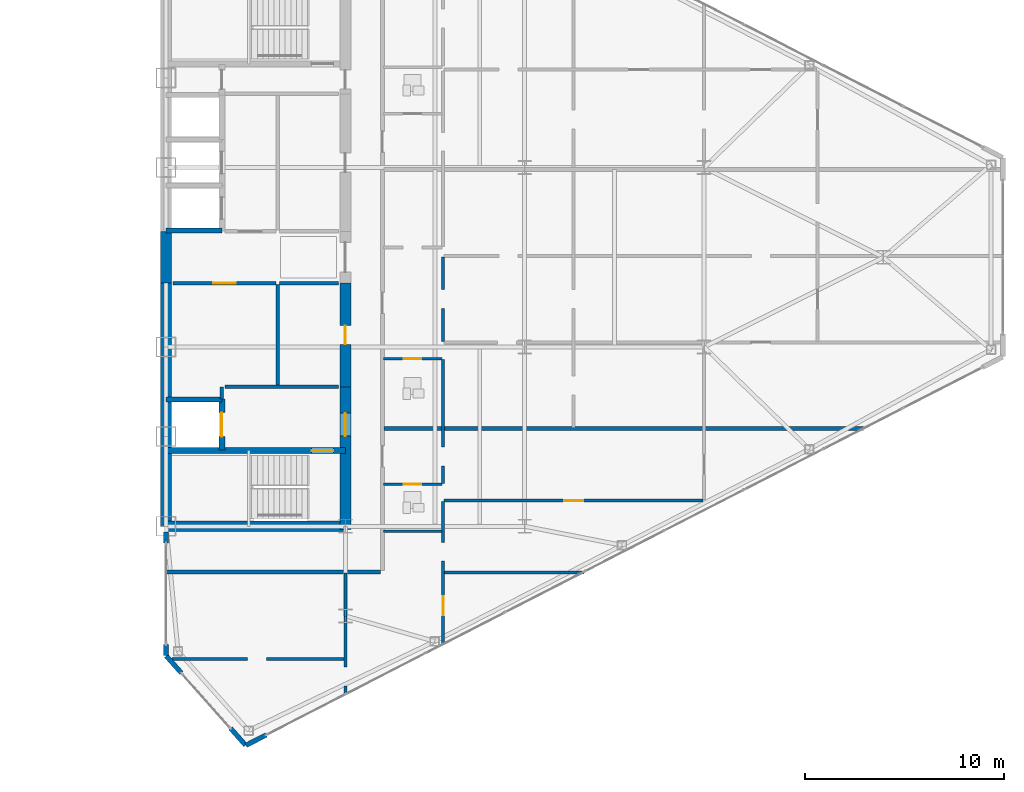
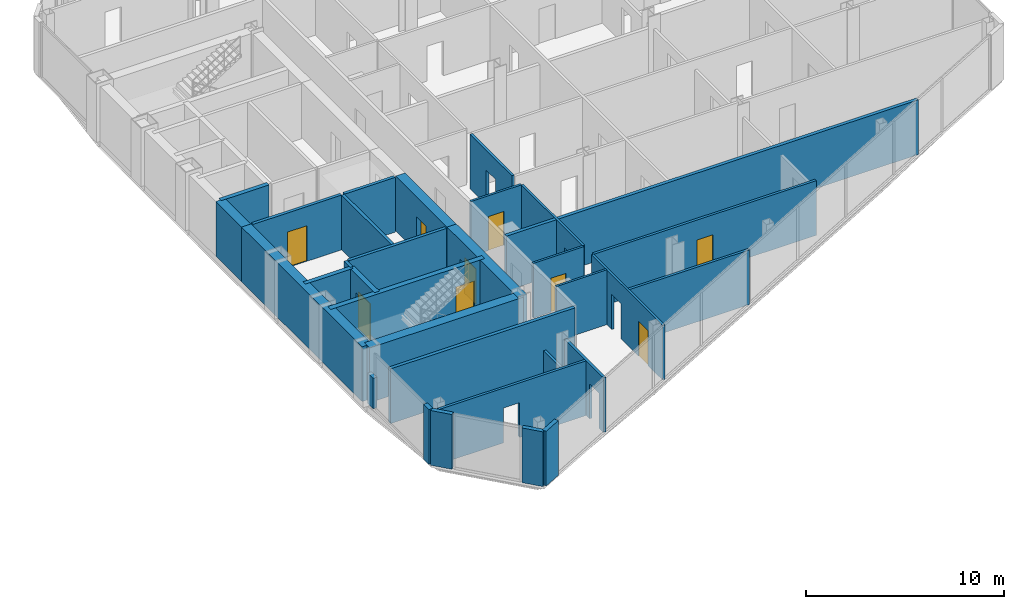
# One storey, part 18 of 23: 32 walls, 9 doors, 14 openings.
"""IFC4 building model written with IfcOpenShell, lengths in metres."""

from ifc_helpers import new_model, si_unit, direction, frame, frame_2d, origin, place, context, subcontext, project, spatial, rectangle, extrude, source, transform, mapped, material, layer, layer_set, type_object, type_shapes, element, fill, save


model = new_model("IFC4")

# Units and contexts
model_context = context("Model", 3, precision=1e-05, world=origin(), true_north=direction((0.0, 1.0)))
body_context = subcontext(model_context, "Body", "Model", "MODEL_VIEW")
ifc_project = project(units=[si_unit("LENGTHUNIT", "METRE"), si_unit("AREAUNIT", "SQUARE_METRE"), si_unit("VOLUMEUNIT", "CUBIC_METRE"), si_unit("PLANEANGLEUNIT", "RADIAN"), si_unit("MASSUNIT", "GRAM", prefix="KILO")], contexts=[model_context])

# Site, building, storey
site_placement = place(None, origin())
site = spatial("IfcSite", under=ifc_project, at=site_placement, CompositionType="ELEMENT")
building_placement = place(site_placement, origin())
building = spatial("IfcBuilding", under=site, at=building_placement, Name="Seokmaru Belvedere", CompositionType="ELEMENT")
storey_placement = place(building_placement, frame((0.0, 0.0, 154.800048828125)))
storey = spatial("IfcBuildingStorey", under=building, at=storey_placement, Name="L41", CompositionType="ELEMENT", Elevation=154.800048828125)

# Wall, opening
ifc_material_1 = material(Name="Fire-Rated Gypsum Shaftwall")
ifc_layer_1 = layer(ifc_material_1, 0.14990234375)
ifc_layer_set_1 = layer_set([ifc_layer_1], Name="Fire-Rated Gypsum Shaftwall")
wall_type_1 = type_object("IfcWallType", Name="Apartment Fire-Acoustic Room Partition 150", PredefinedType="PARTITIONING", material=ifc_layer_set_1)
wall_1_placement = place(storey_placement, frame((27.800537109375, -20.14990234375, 0.0), z_axis=(0.0, 0.0, 1.0), x_axis=(1.0, 0.0, 0.0)))
wall_1 = element("IfcWall", 1, at=wall_1_placement, inside=storey, type_object=wall_type_1, Name="L41 Interior Partition 002", PredefinedType="PARTITIONING", context=body_context, shape_type="SweptSolid", body=[
    extrude(rectangle(XDim=8.6494140625, YDim=0.14990234375, at=frame_2d((4.32470703125, 0.0))), origin(), (0.0, 0.0, 1.0), 3.3798828125),
])
opening_1_placement = place(wall_1_placement, frame((3.791015625, 0.0, 0.0)))
element("IfcOpeningElement", 2, at=opening_1_placement, cuts=wall_1, Name="L41 Cased Opening 039", PredefinedType="OPENING", context=body_context, shape_type="SweptSolid", body=[
    extrude(rectangle(XDim=0.949951171875, YDim=2.14990234375, at=frame_2d((0.47509765625, 1.074951171875))), frame((0.0, 0.0849609375, 0.0), z_axis=(0.0, -1.0, 0.0), x_axis=(1.0, 0.0, 0.0)), (0.0, 0.0, 1.0), 0.169921875),
])

# Wall
wall_2_placement = place(storey_placement, frame((41.449951171875, -15.81005859375, 0.0), z_axis=(0.0, 0.0, 1.0), x_axis=(1.0, 0.0, 0.0)))
element("IfcWall", 3, at=wall_2_placement, inside=storey, type_object=wall_type_1, Name="L41 Interior Partition 003", PredefinedType="PARTITIONING", context=body_context, shape_type="SweptSolid", body=[
    extrude(rectangle(XDim=7.012939453125, YDim=0.14990234375, at=frame_2d((3.50634765625, 0.0))), origin(), (0.0, 0.0, 1.0), 3.3798828125),
])

# Wall, opening, door
wall_3_placement = place(storey_placement, frame((41.449951171875, -12.2099609375, 0.0), z_axis=(0.0, 0.0, 1.0), x_axis=(1.0, 0.0, 0.0)))
wall_3 = element("IfcWall", 4, at=wall_3_placement, inside=storey, type_object=wall_type_1, Name="L41 Interior Partition 009", PredefinedType="PARTITIONING", context=body_context, shape_type="SweptSolid", body=[
    extrude(rectangle(XDim=13.0, YDim=0.14990234375, at=frame_2d((6.5, 0.0))), origin(), (0.0, 0.0, 1.0), 3.3798828125),
])
opening_2_placement = place(wall_3_placement, frame((6.02490234375, 0.0, 0.0)))
opening_2 = element("IfcOpeningElement", 5, at=opening_2_placement, cuts=wall_3, Name="Opening D05", PredefinedType="OPENING", context=body_context, shape_type="SweptSolid", body=[
    extrude(rectangle(XDim=0.949951171875, YDim=2.14990234375, at=frame_2d((0.47509765625, 1.074951171875))), frame((0.0, 0.0849609375, 0.0), z_axis=(0.0, -1.0, 0.0), x_axis=(1.0, 0.0, 0.0)), (0.0, 0.0, 1.0), 0.169921875),
])
ifc_material_2 = material(Name="Engineered White Oak Timber", Category="wood")
door_type_1 = type_object("IfcDoorType", Name="Apartment Interior Fire-Rated Oak Door 950x2150", OperationType="NOTDEFINED", PredefinedType="DOOR", material=ifc_material_2)
shared_shape_1 = source(origin(), body_context, "Body", "SweptSolid", [
    extrude(rectangle(XDim=0.949951171875, YDim=2.14990234375, at=frame_2d((0.47509765625, 1.074951171875))), frame((0.0, 0.02490234375, 0.0), z_axis=(0.0, -1.0, 0.0), x_axis=(1.0, 0.0, 0.0)), (0.0, 0.0, 1.0), 0.050048828125),
])
type_shapes(door_type_1, [shared_shape_1])
door_1_placement = place(opening_2_placement, origin())
door_1 = element("IfcDoor", 6, at=door_1_placement, inside=storey, type_object=door_type_1, Name="L41 Interior Door 035", OperationType="SINGLE_SWING_LEFT", OverallHeight=2.14990234375, OverallWidth=0.949951171875, PredefinedType="DOOR", context=body_context, shape_type="MappedRepresentation", body=[
    mapped(shared_shape_1, transform((0.0, 0.0, 0.0), scale=1.0)),
])
fill(opening_2, door_1)

# Wall, opening
wall_4_placement = place(storey_placement, frame((36.5, -21.968994140625, 0.0), z_axis=(0.0, 0.0, 1.0), x_axis=(0.0, 1.0, 0.0)))
wall_4 = element("IfcWall", 7, at=wall_4_placement, inside=storey, type_object=wall_type_1, Name="L41 Interior Partition 048", PredefinedType="PARTITIONING", context=body_context, shape_type="SweptSolid", body=[
    extrude(rectangle(XDim=3.948974609375, YDim=0.14990234375, at=frame_2d((1.974609375, 0.0))), origin(), (0.0, 0.0, 1.0), 3.3798828125),
])
opening_3_placement = place(wall_4_placement, frame((0.451904296875, 0.0, 0.0)))
element("IfcOpeningElement", 8, at=opening_3_placement, cuts=wall_4, Name="L41 Cased Opening 038", PredefinedType="OPENING", context=body_context, shape_type="SweptSolid", body=[
    extrude(rectangle(XDim=0.949951171875, YDim=2.14990234375, at=frame_2d((0.47509765625, 1.074951171875))), frame((0.0, 0.0849609375, 0.0), z_axis=(0.0, -1.0, 0.0), x_axis=(1.0, 0.0, 0.0)), (0.0, 0.0, 1.0), 0.169921875),
])

# Wall
wall_5_placement = place(storey_placement, frame((36.5, -18.02001953125, 0.0), z_axis=(0.0, 0.0, 1.0), x_axis=(0.0, 1.0, 0.0)))
element("IfcWall", 9, at=wall_5_placement, inside=storey, type_object=wall_type_1, Name="L41 Interior Partition 048 Part 2", PredefinedType="PARTITIONING", context=body_context, shape_type="SweptSolid", body=[
    extrude(rectangle(XDim=2.169921875, YDim=0.14990234375, at=frame_2d((1.0849609375, 0.0))), origin(), (0.0, 0.0, 1.0), 1.3798828125),
])

# Wall, opening
wall_6_placement = place(storey_placement, frame((41.39990234375, -4.217041015625, 0.0), z_axis=(0.0, 0.0, 1.0), x_axis=(0.0, 1.0, 0.0)))
wall_6 = element("IfcWall", 10, at=wall_6_placement, inside=storey, type_object=wall_type_1, Name="L41 Interior Partition 053", PredefinedType="PARTITIONING", context=body_context, shape_type="SweptSolid", body=[
    extrude(rectangle(XDim=4.234130859375, YDim=0.14990234375, at=frame_2d((2.1171875, 0.0))), origin(), (0.0, 0.0, 1.0), 3.3798828125),
])
opening_4_placement = place(wall_6_placement, frame((1.64208984375, 0.0, 0.0)))
element("IfcOpeningElement", 11, at=opening_4_placement, cuts=wall_6, Name="L41 Cased Opening 043", PredefinedType="OPENING", context=body_context, shape_type="SweptSolid", body=[
    extrude(rectangle(XDim=0.949951171875, YDim=2.14990234375, at=frame_2d((0.47509765625, 1.074951171875))), frame((0.0, 0.0849609375, 0.0), z_axis=(0.0, -1.0, 0.0), x_axis=(1.0, 0.0, 0.0)), (0.0, 0.0, 1.0), 0.169921875),
])

# Walls
ifc_layer_2 = layer(ifc_material_1, 0.179931640625)
ifc_layer_set_2 = layer_set([ifc_layer_2], Name="Fire-Rated Gypsum Shaftwall")
wall_type_2 = type_object("IfcWallType", Name="Core Service Fire Partition 180", PredefinedType="PARTITIONING", material=ifc_layer_set_2)
wall_7_placement = place(storey_placement, frame((30.449951171875, -6.5, 0.0), z_axis=(0.0, 0.0, 1.0), x_axis=(1.0, 0.0, 0.0)))
element("IfcWall", 12, at=wall_7_placement, inside=storey, type_object=wall_type_2, Name="L41 East Firefighting Lobby Partition", PredefinedType="PARTITIONING", context=body_context, shape_type="SweptSolid", body=[
    extrude(rectangle(XDim=5.699951171875, YDim=0.179931640625, at=frame_2d((2.85009765625, 0.0))), origin(), (0.0, 0.0, 1.0), 3.3798828125),
])
wall_8_placement = place(storey_placement, frame((30.300048828125, -7.1201171875, 0.0), z_axis=(0.0, 0.0, 1.0), x_axis=(0.0, 1.0, 0.0)))
element("IfcWall", 13, at=wall_8_placement, inside=storey, type_object=wall_type_2, Name="L41 East Firefighting Lobby East Closure Wall", PredefinedType="PARTITIONING", context=body_context, shape_type="SweptSolid", body=[
    extrude(rectangle(XDim=0.6201171875, YDim=0.179931640625, at=frame_2d((0.31005859375, 0.0))), origin(), (0.0, 0.0, 1.0), 3.3798828125),
])
wall_9_placement = place(storey_placement, frame((33.10009765625, -6.419921875, 0.0), z_axis=(0.0, 0.0, 1.0), x_axis=(0.0, 1.0, 0.0)))
element("IfcWall", 14, at=wall_9_placement, inside=storey, type_object=wall_type_2, Name="L41 East South Core Service Back Wall", PredefinedType="PARTITIONING", context=body_context, shape_type="SweptSolid", body=[
    extrude(rectangle(XDim=5.0400390625, YDim=0.179931640625, at=frame_2d((2.52001953125, 0.0))), origin(), (0.0, 0.0, 1.0), 3.3798828125),
])

# Wall, opening, door
wall_10_placement = place(storey_placement, frame((27.85009765625, -1.300048828125, 0.0), z_axis=(0.0, 0.0, 1.0), x_axis=(1.0, 0.0, 0.0)))
wall_10 = element("IfcWall", 15, at=wall_10_placement, inside=storey, type_object=wall_type_2, Name="L41 East South Lift Lobby Foyer Wall", PredefinedType="PARTITIONING", context=body_context, shape_type="SweptSolid", body=[
    extrude(rectangle(XDim=5.169921875, YDim=0.179931640625, at=frame_2d((2.5849609375, 0.0))), origin(), (0.0, 0.0, 1.0), 3.3798828125),
])
opening_5_placement = place(wall_10_placement, frame((2.010009765625, 0.0, 0.0)))
opening_5 = element("IfcOpeningElement", 16, at=opening_5_placement, cuts=wall_10, Name="Opening D02", PredefinedType="OPENING", context=body_context, shape_type="SweptSolid", body=[
    extrude(rectangle(XDim=1.14990234375, YDim=2.199951171875, at=frame_2d((0.574951171875, 1.10009765625))), frame((0.0, 0.10009765625, 0.0), z_axis=(0.0, -1.0, 0.0), x_axis=(1.0, 0.0, 0.0)), (0.0, 0.0, 1.0), 0.199951171875),
])
ifc_material_3 = material(Name="Fire-Rated Steel Leaf", Category="steel")
door_type_2 = type_object("IfcDoorType", Name="Lobby and Vestibule Fire Door 1150x2200", OperationType="NOTDEFINED", PredefinedType="DOOR", material=ifc_material_3)
shared_shape_2 = source(origin(), body_context, "Body", "SweptSolid", [
    extrude(rectangle(XDim=1.14990234375, YDim=2.199951171875, at=frame_2d((0.574951171875, 1.10009765625))), frame((0.0, 0.02490234375, 0.0), z_axis=(0.0, -1.0, 0.0), x_axis=(1.0, 0.0, 0.0)), (0.0, 0.0, 1.0), 0.050048828125),
])
type_shapes(door_type_2, [shared_shape_2])
door_2_placement = place(opening_5_placement, origin())
door_2 = element("IfcDoor", 17, at=door_2_placement, inside=storey, type_object=door_type_2, Name="L41 East South Core Foyer Door", OperationType="SINGLE_SWING_RIGHT", OverallHeight=2.199951171875, OverallWidth=1.14990234375, PredefinedType="DOOR", context=body_context, shape_type="MappedRepresentation", body=[
    mapped(shared_shape_2, transform((0.0, 0.0, 0.0), scale=1.0)),
])
fill(opening_5, door_2)

# Walls
wall_11_placement = place(storey_placement, frame((33.199951171875, -1.300048828125, 0.0), z_axis=(0.0, 0.0, 1.0), x_axis=(1.0, 0.0, 0.0)))
element("IfcWall", 18, at=wall_11_placement, inside=storey, type_object=wall_type_2, Name="L41 East Foyer Side Wall S", PredefinedType="PARTITIONING", context=body_context, shape_type="SweptSolid", body=[
    extrude(rectangle(XDim=2.949951171875, YDim=0.179931640625, at=frame_2d((1.47509765625, 0.0))), origin(), (0.0, 0.0, 1.0), 3.3798828125),
])
ifc_material_4 = material(Name="Concrete C50 (50 MPa)", Category="concrete")
ifc_layer_3 = layer(ifc_material_4, 0.25)
ifc_layer_set_3 = layer_set([ifc_layer_3], Name="Concrete C50 (50 MPa)")
wall_type_3 = type_object("IfcWallType", Name="Hoistway Transverse Concrete Divider Wall 250", PredefinedType="SHEAR", material=ifc_layer_set_3)
for number, where, z_axis, x_axis, name in (
    (19, (27.5, -7.14990234375, 0.0), (0.0, 0.0, 1.0), (1.0, 0.0, 0.0), "L41 East Hoistway Divider Core Wall 1"),
    (20, (27.5, 1.35009765625, 0.0), (0.0, 0.0, 1.0), (1.0, 0.0, 0.0), "L41 East Hoistway Divider Core Wall 2"),
):
    element("IfcWall", number, at=place(storey_placement, frame(where, z_axis=z_axis, x_axis=x_axis)), inside=storey, type_object=wall_type_3, Name=name, PredefinedType="SHEAR", context=body_context, shape_type="SweptSolid", body=[
        extrude(rectangle(XDim=2.800048828125, YDim=0.25, at=frame_2d((1.39990234375, 0.0))), origin(), (0.0, 0.0, 1.0), 3.3798828125),
    ])
ifc_layer_4 = layer(ifc_material_1, 0.199951171875)
ifc_layer_set_4 = layer_set([ifc_layer_4], Name="Fire-Rated Gypsum Shaftwall")
wall_type_4 = type_object("IfcWallType", Name="Inter-Tenancy Fire Compartment Partition 200", PredefinedType="PARTITIONING", material=ifc_layer_set_4)
wall_12_placement = place(storey_placement, frame((27.5, -15.800048828125, 0.0), z_axis=(0.0, 0.0, 1.0), x_axis=(1.0, 0.0, 0.0)))
element("IfcWall", 21, at=wall_12_placement, inside=storey, type_object=wall_type_4, Name="L41 Interior Partition 005", PredefinedType="PARTITIONING", context=body_context, shape_type="SweptSolid", body=[
    extrude(rectangle(XDim=10.764892578125, YDim=0.199951171875, at=frame_2d((5.38232421875, 0.0))), origin(), (0.0, 0.0, 1.0), 3.3798828125),
])
wall_13_placement = place(storey_placement, frame((38.429931640625, -8.60009765625, 0.0), z_axis=(0.0, 0.0, 1.0), x_axis=(1.0, 0.0, 0.0)))
element("IfcWall", 22, at=wall_13_placement, inside=storey, type_object=wall_type_4, Name="L41 Interior Partition 013", PredefinedType="PARTITIONING", context=body_context, shape_type="SweptSolid", body=[
    extrude(rectangle(XDim=24.066162109375, YDim=0.199951171875, at=frame_2d((12.033203125, 0.0))), origin(), (0.0, 0.0, 1.0), 3.3798828125),
])

# Wall, opening, door
ifc_layer_5 = layer(ifc_material_4, 0.300048828125)
ifc_layer_set_5 = layer_set([ifc_layer_5], Name="Concrete C50 (50 MPa)")
wall_type_5 = type_object("IfcWallType", Name="Internal Core Stair and Hoistway Wall 300", PredefinedType="SHEAR", material=ifc_layer_set_5)
wall_14_placement = place(storey_placement, frame((27.5, -9.699951171875, 0.0), z_axis=(0.0, 0.0, 1.0), x_axis=(1.0, 0.0, 0.0)))
wall_14 = element("IfcWall", 23, at=wall_14_placement, inside=storey, type_object=wall_type_5, Name="L41 East Stair ST-1 Enclosure Wall", PredefinedType="SHEAR", context=body_context, shape_type="SweptSolid", body=[
    extrude(rectangle(XDim=9.0, YDim=0.300048828125, at=frame_2d((4.5, 0.0))), origin(), (0.0, 0.0, 1.0), 3.3798828125),
])
opening_6_placement = place(wall_14_placement, frame((7.300048828125, 0.0, 0.0)))
opening_6 = element("IfcOpeningElement", 24, at=opening_6_placement, cuts=wall_14, Name="Opening D01", PredefinedType="OPENING", context=body_context, shape_type="SweptSolid", body=[
    extrude(rectangle(XDim=1.10009765625, YDim=2.199951171875, at=frame_2d((0.550048828125, 1.10009765625))), frame((0.0, 0.16015625, 0.0), z_axis=(0.0, -1.0, 0.0), x_axis=(1.0, 0.0, 0.0)), (0.0, 0.0, 1.0), 0.320068359375),
])
door_type_3 = type_object("IfcDoorType", Name="Special Escape Stair Smokeproof Fire Door 1100x2200", OperationType="NOTDEFINED", PredefinedType="DOOR", material=ifc_material_3)
shared_shape_3 = source(origin(), body_context, "Body", "SweptSolid", [
    extrude(rectangle(XDim=1.10009765625, YDim=2.199951171875, at=frame_2d((0.550048828125, 1.10009765625))), frame((0.0, 0.02490234375, 0.0), z_axis=(0.0, -1.0, 0.0), x_axis=(1.0, 0.0, 0.0)), (0.0, 0.0, 1.0), 0.050048828125),
])
type_shapes(door_type_3, [shared_shape_3])
door_3_placement = place(opening_6_placement, frame((1.10009765625, 0.0, 0.0), z_axis=(0.0, 0.0, 1.0), x_axis=(-1.0, 0.0, 0.0)))
door_3 = element("IfcDoor", 25, at=door_3_placement, inside=storey, type_object=door_type_3, Name="L41 East Special Escape Stair ST-1 Door", OperationType="SINGLE_SWING_RIGHT", OverallHeight=2.199951171875, OverallWidth=1.10009765625, PredefinedType="DOOR", context=body_context, shape_type="MappedRepresentation", body=[
    mapped(shared_shape_3, transform((0.0, 0.0, 0.0), scale=1.0)),
])
fill(opening_6, door_3)

wall_15_placement = place(storey_placement, frame((30.300048828125, -9.679931640625, 0.0), z_axis=(0.0, 0.0, 1.0), x_axis=(0.0, 1.0, 0.0)))
wall_15 = element("IfcWall", 26, at=wall_15_placement, inside=storey, type_object=wall_type_5, Name="L41 East Firefighting Lift Shaft Front Wall", PredefinedType="SHEAR", context=body_context, shape_type="SweptSolid", body=[
    extrude(rectangle(XDim=2.559814453125, YDim=0.300048828125, at=frame_2d((1.27978515625, 0.0))), origin(), (0.0, 0.0, 1.0), 3.3798828125),
])
opening_7_placement = place(wall_15_placement, frame((0.679931640625, 0.0, 0.0)))
opening_7 = element("IfcOpeningElement", 27, at=opening_7_placement, cuts=wall_15, Name="Opening LD2", PredefinedType="OPENING", context=body_context, shape_type="SweptSolid", body=[
    extrude(rectangle(XDim=1.199951171875, YDim=2.25, at=frame_2d((0.60009765625, 1.125))), frame((0.0, 0.16015625, 0.0), z_axis=(0.0, -1.0, 0.0), x_axis=(1.0, 0.0, 0.0)), (0.0, 0.0, 1.0), 0.320068359375),
])
ifc_material_5 = material(Name="Stainless Steel 316", Category="steel")
door_type_4 = type_object("IfcDoorType", Name="Firefighting Lift Sliding Landing Door 1200x2250", OperationType="DOUBLE_DOOR_SLIDING", PredefinedType="DOOR", material=ifc_material_5)
shared_shape_4 = source(origin(), body_context, "Body", "SweptSolid", [
    extrude(rectangle(XDim=1.199951171875, YDim=2.25, at=frame_2d((0.60009765625, 1.125))), frame((0.0, 0.02490234375, 0.0), z_axis=(0.0, -1.0, 0.0), x_axis=(1.0, 0.0, 0.0)), (0.0, 0.0, 1.0), 0.050048828125),
])
type_shapes(door_type_4, [shared_shape_4])
door_4_placement = place(opening_7_placement, origin())
door_4 = element("IfcDoor", 28, at=door_4_placement, inside=storey, type_object=door_type_4, Name="L41 East Firefighting Lift Landing Door", OperationType="DOUBLE_DOOR_SLIDING", OverallHeight=2.25, OverallWidth=1.199951171875, PredefinedType="DOOR", context=body_context, shape_type="MappedRepresentation", body=[
    mapped(shared_shape_4, transform((0.0, 0.0, 0.0), scale=1.0)),
])
fill(opening_7, door_4)

# Walls
ifc_layer_6 = layer(ifc_material_4, 0.550048828125)
ifc_layer_set_6 = layer_set([ifc_layer_6], Name="Concrete C50 (50 MPa)")
wall_type_6 = type_object("IfcWallType", Name="Mid-High Reinforced Concrete Core Wall 550", PredefinedType="SHEAR", material=ifc_layer_set_6)
wall_16_placement = place(storey_placement, frame((27.5, -13.5, 0.0), z_axis=(0.0, 0.0, 1.0), x_axis=(0.0, 1.0, 0.0)))
element("IfcWall", 29, at=wall_16_placement, inside=storey, type_object=wall_type_6, Name="L41 East Portal Spine Core Wall South", PredefinedType="SHEAR", context=body_context, shape_type="SweptSolid", body=[
    extrude(rectangle(XDim=12.199951171875, YDim=0.550048828125, at=frame_2d((6.10009765625, 0.0))), origin(), (0.0, 0.0, 1.0), 3.3798828125),
])
wall_17_placement = place(storey_placement, frame((27.5, -1.300048828125, 0.0), z_axis=(0.0, 0.0, 1.0), x_axis=(0.0, 1.0, 0.0)))
element("IfcWall", 30, at=wall_17_placement, inside=storey, type_object=wall_type_6, Name="L41 East Portal Spine Core Wall Center", PredefinedType="SHEAR", context=body_context, shape_type="SweptSolid", body=[
    extrude(rectangle(XDim=2.60009765625, YDim=0.550048828125, at=frame_2d((1.300048828125, 0.0))), origin(), (0.0, 0.0, 1.0), 3.3798828125),
])
wall_18_placement = place(storey_placement, frame((27.5, -13.5, 0.0), z_axis=(0.0, 0.0, 1.0), x_axis=(1.0, 0.0, 0.0)))
element("IfcWall", 31, at=wall_18_placement, inside=storey, type_object=wall_type_6, Name="L41 East South Core Wall", PredefinedType="SHEAR", context=body_context, shape_type="SweptSolid", body=[
    extrude(rectangle(XDim=9.0, YDim=0.550048828125, at=frame_2d((4.5, 0.0))), origin(), (0.0, 0.0, 1.0), 3.3798828125),
])

# Wall, opening, door
wall_19_placement = place(storey_placement, frame((36.5, -13.64990234375, 0.0), z_axis=(0.0, 0.0, 1.0), x_axis=(0.0, 1.0, 0.0)))
wall_19 = element("IfcWall", 32, at=wall_19_placement, inside=storey, type_object=wall_type_6, Name="L41 East West Core Wall FF", PredefinedType="SHEAR", context=body_context, shape_type="SweptSolid", body=[
    extrude(rectangle(XDim=7.14990234375, YDim=0.550048828125, at=frame_2d((3.574951171875, 0.0))), origin(), (0.0, 0.0, 1.0), 3.3798828125),
])
opening_8_placement = place(wall_19_placement, frame((4.675048828125, 0.0, 0.0)))
opening_8 = element("IfcOpeningElement", 33, at=opening_8_placement, cuts=wall_19, Name="Opening D02", PredefinedType="OPENING", context=body_context, shape_type="SweptSolid", body=[
    extrude(rectangle(XDim=1.14990234375, YDim=2.199951171875, at=frame_2d((0.574951171875, 1.10009765625))), frame((0.0, 0.28515625, 0.0), z_axis=(0.0, -1.0, 0.0), x_axis=(1.0, 0.0, 0.0)), (0.0, 0.0, 1.0), 0.570068359375),
])
door_5_placement = place(opening_8_placement, origin())
door_5 = element("IfcDoor", 34, at=door_5_placement, inside=storey, type_object=door_type_2, Name="L41 East Firefighting Lobby Door", OperationType="SINGLE_SWING_RIGHT", OverallHeight=2.199951171875, OverallWidth=1.14990234375, PredefinedType="DOOR", context=body_context, shape_type="MappedRepresentation", body=[
    mapped(shared_shape_2, transform((0.0, 0.0, 0.0), scale=1.0)),
])
fill(opening_8, door_5)

wall_20_placement = place(storey_placement, frame((36.5, -6.5, 0.0), z_axis=(0.0, 0.0, 1.0), x_axis=(0.0, 1.0, 0.0)))
wall_20 = element("IfcWall", 35, at=wall_20_placement, inside=storey, type_object=wall_type_6, Name="L41 East West Core Wall CS1", PredefinedType="SHEAR", context=body_context, shape_type="SweptSolid", body=[
    extrude(rectangle(XDim=5.199951171875, YDim=0.550048828125, at=frame_2d((2.60009765625, 0.0))), origin(), (0.0, 0.0, 1.0), 3.3798828125),
])
opening_9_placement = place(wall_20_placement, frame((2.125, 0.0, 0.0)))
opening_9 = element("IfcOpeningElement", 36, at=opening_9_placement, cuts=wall_20, Name="Opening D04", PredefinedType="OPENING", context=body_context, shape_type="SweptSolid", body=[
    extrude(rectangle(XDim=0.949951171875, YDim=2.14990234375, at=frame_2d((0.47509765625, 1.074951171875))), frame((0.0, 0.28515625, 0.0), z_axis=(0.0, -1.0, 0.0), x_axis=(1.0, 0.0, 0.0)), (0.0, 0.0, 1.0), 0.570068359375),
])
door_type_5 = type_object("IfcDoorType", Name="Core Service Room Fire Door 950x2150", OperationType="NOTDEFINED", PredefinedType="DOOR", material=ifc_material_3)
shared_shape_5 = source(origin(), body_context, "Body", "SweptSolid", [
    extrude(rectangle(XDim=0.949951171875, YDim=2.14990234375, at=frame_2d((0.47509765625, 1.074951171875))), frame((0.0, 0.02490234375, 0.0), z_axis=(0.0, -1.0, 0.0), x_axis=(1.0, 0.0, 0.0)), (0.0, 0.0, 1.0), 0.050048828125),
])
type_shapes(door_type_5, [shared_shape_5])
door_6_placement = place(opening_9_placement, origin())
door_6 = element("IfcDoor", 37, at=door_6_placement, inside=storey, type_object=door_type_5, Name="L41 East Core Service Room Door 1", OperationType="SINGLE_SWING_RIGHT", OverallHeight=2.14990234375, OverallWidth=0.949951171875, PredefinedType="DOOR", context=body_context, shape_type="MappedRepresentation", body=[
    mapped(shared_shape_5, transform((0.0, 0.0, 0.0), scale=1.0)),
])
fill(opening_9, door_6)

# Wall
ifc_layer_7 = layer(ifc_material_1, 0.1298828125)
ifc_layer_set_7 = layer_set([ifc_layer_7], Name="Fire-Rated Gypsum Shaftwall")
wall_type_7 = type_object("IfcWallType", Name="Moisture-Resistant Fire-Rated Bathroom Partition 130", PredefinedType="PARTITIONING", material=ifc_layer_set_7)
wall_21_placement = place(storey_placement, frame((38.39990234375, -13.739990234375, 0.0), z_axis=(0.0, 0.0, 1.0), x_axis=(1.0, 0.0, 0.0)))
element("IfcWall", 38, at=wall_21_placement, inside=storey, type_object=wall_type_7, Name="L41 Interior Partition 007", PredefinedType="PARTITIONING", context=body_context, shape_type="SweptSolid", body=[
    extrude(rectangle(XDim=2.9501953125, YDim=0.1298828125, at=frame_2d((1.47509765625, 0.0))), origin(), (0.0, 0.0, 1.0), 3.3798828125),
])

# Wall, opening, door
wall_22_placement = place(storey_placement, frame((38.39990234375, -11.389892578125, 0.0), z_axis=(0.0, 0.0, 1.0), x_axis=(1.0, 0.0, 0.0)))
wall_22 = element("IfcWall", 39, at=wall_22_placement, inside=storey, type_object=wall_type_7, Name="L41 Interior Partition 010", PredefinedType="PARTITIONING", context=body_context, shape_type="SweptSolid", body=[
    extrude(rectangle(XDim=2.9501953125, YDim=0.1298828125, at=frame_2d((1.47509765625, 0.0))), origin(), (0.0, 0.0, 1.0), 3.3798828125),
])
opening_10_placement = place(wall_22_placement, frame((1.034912109375, 0.0, 0.0)))
opening_10 = element("IfcOpeningElement", 40, at=opening_10_placement, cuts=wall_22, Name="Opening D06", PredefinedType="OPENING", context=body_context, shape_type="SweptSolid", body=[
    extrude(rectangle(XDim=0.8798828125, YDim=2.10009765625, at=frame_2d((0.43994140625, 1.050048828125))), frame((0.0, 0.074951171875, 0.0), z_axis=(0.0, -1.0, 0.0), x_axis=(1.0, 0.0, 0.0)), (0.0, 0.0, 1.0), 0.14990234375),
])
door_type_6 = type_object("IfcDoorType", Name="Bathroom and Restroom Fire-Rated Door 880x2100", OperationType="NOTDEFINED", PredefinedType="DOOR", material=ifc_material_2)
shared_shape_6 = source(origin(), body_context, "Body", "SweptSolid", [
    extrude(rectangle(XDim=0.8798828125, YDim=2.10009765625, at=frame_2d((0.43994140625, 1.050048828125))), frame((0.0, 0.02490234375, 0.0), z_axis=(0.0, -1.0, 0.0), x_axis=(1.0, 0.0, 0.0)), (0.0, 0.0, 1.0), 0.050048828125),
])
type_shapes(door_type_6, [shared_shape_6])
door_7_placement = place(opening_10_placement, origin())
door_7 = element("IfcDoor", 41, at=door_7_placement, inside=storey, type_object=door_type_6, Name="L41 Interior Door 032", OperationType="SINGLE_SWING_RIGHT", OverallHeight=2.10009765625, OverallWidth=0.8798828125, PredefinedType="DOOR", context=body_context, shape_type="MappedRepresentation", body=[
    mapped(shared_shape_6, transform((0.0, 0.0, 0.0), scale=1.0)),
])
fill(opening_10, door_7)

wall_23_placement = place(storey_placement, frame((38.39990234375, -5.090087890625, 0.0), z_axis=(0.0, 0.0, 1.0), x_axis=(1.0, 0.0, 0.0)))
wall_23 = element("IfcWall", 42, at=wall_23_placement, inside=storey, type_object=wall_type_7, Name="L41 Interior Partition 015", PredefinedType="PARTITIONING", context=body_context, shape_type="SweptSolid", body=[
    extrude(rectangle(XDim=2.9501953125, YDim=0.1298828125, at=frame_2d((1.47509765625, 0.0))), origin(), (0.0, 0.0, 1.0), 3.3798828125),
])
opening_11_placement = place(wall_23_placement, frame((1.034912109375, 0.0, 0.0)))
opening_11 = element("IfcOpeningElement", 43, at=opening_11_placement, cuts=wall_23, Name="Opening D06", PredefinedType="OPENING", context=body_context, shape_type="SweptSolid", body=[
    extrude(rectangle(XDim=0.8798828125, YDim=2.10009765625, at=frame_2d((0.43994140625, 1.050048828125))), frame((0.0, 0.074951171875, 0.0), z_axis=(0.0, -1.0, 0.0), x_axis=(1.0, 0.0, 0.0)), (0.0, 0.0, 1.0), 0.14990234375),
])
door_8_placement = place(opening_11_placement, origin())
door_8 = element("IfcDoor", 44, at=door_8_placement, inside=storey, type_object=door_type_6, Name="L41 Interior Door 041", OperationType="SINGLE_SWING_RIGHT", OverallHeight=2.10009765625, OverallWidth=0.8798828125, PredefinedType="DOOR", context=body_context, shape_type="MappedRepresentation", body=[
    mapped(shared_shape_6, transform((0.0, 0.0, 0.0), scale=1.0)),
])
fill(opening_11, door_8)

# Wall, openings, door
wall_24_placement = place(storey_placement, frame((41.39990234375, -19.455078125, 0.0), z_axis=(0.0, 0.0, 1.0), x_axis=(0.0, 1.0, 0.0)))
wall_24 = element("IfcWall", 45, at=wall_24_placement, inside=storey, type_object=wall_type_7, Name="L41 Interior Partition 051", PredefinedType="PARTITIONING", context=body_context, shape_type="SweptSolid", body=[
    extrude(rectangle(XDim=7.197998046875, YDim=0.1298828125, at=frame_2d((3.59912109375, 0.0))), origin(), (0.0, 0.0, 1.0), 3.3798828125),
])
opening_12_placement = place(wall_24_placement, frame((4.200927734375, 0.0, 0.0)))
element("IfcOpeningElement", 46, at=opening_12_placement, cuts=wall_24, Name="L41 Cased Opening 036", PredefinedType="OPENING", context=body_context, shape_type="SweptSolid", body=[
    extrude(rectangle(XDim=0.949951171875, YDim=2.14990234375, at=frame_2d((0.47509765625, 1.074951171875))), frame((0.0, 0.074951171875, 0.0), z_axis=(0.0, -1.0, 0.0), x_axis=(1.0, 0.0, 0.0)), (0.0, 0.0, 1.0), 0.14990234375),
])
opening_13_placement = place(wall_24_placement, frame((1.497802734375, 0.0, 0.0)))
opening_13 = element("IfcOpeningElement", 47, at=opening_13_placement, cuts=wall_24, Name="Opening D05", PredefinedType="OPENING", context=body_context, shape_type="SweptSolid", body=[
    extrude(rectangle(XDim=0.949951171875, YDim=2.14990234375, at=frame_2d((0.47509765625, 1.074951171875))), frame((0.0, 0.074951171875, 0.0), z_axis=(0.0, -1.0, 0.0), x_axis=(1.0, 0.0, 0.0)), (0.0, 0.0, 1.0), 0.14990234375),
])
door_9_placement = place(opening_13_placement, origin())
door_9 = element("IfcDoor", 48, at=door_9_placement, inside=storey, type_object=door_type_1, Name="L41 Interior Door 037", OperationType="SINGLE_SWING_LEFT", OverallHeight=2.14990234375, OverallWidth=0.949951171875, PredefinedType="DOOR", context=body_context, shape_type="MappedRepresentation", body=[
    mapped(shared_shape_1, transform((0.0, 0.0, 0.0), scale=1.0)),
])
fill(opening_13, door_9)

# Wall, opening
wall_25_placement = place(storey_placement, frame((41.39990234375, -11.344970703125, 0.0), z_axis=(0.0, 0.0, 1.0), x_axis=(0.0, 1.0, 0.0)))
wall_25 = element("IfcWall", 49, at=wall_25_placement, inside=storey, type_object=wall_type_7, Name="L41 Interior Partition 052", PredefinedType="PARTITIONING", context=body_context, shape_type="SweptSolid", body=[
    extrude(rectangle(XDim=6.202880859375, YDim=0.1298828125, at=frame_2d((3.1015625, 0.0))), origin(), (0.0, 0.0, 1.0), 3.3798828125),
])
opening_14_placement = place(wall_25_placement, frame((0.87255859375, 0.0, 0.0)))
element("IfcOpeningElement", 50, at=opening_14_placement, cuts=wall_25, Name="L41 Cased Opening 033", PredefinedType="OPENING", context=body_context, shape_type="SweptSolid", body=[
    extrude(rectangle(XDim=0.949951171875, YDim=2.14990234375, at=frame_2d((0.47509765625, 1.074951171875))), frame((0.0, 0.074951171875, 0.0), z_axis=(0.0, -1.0, 0.0), x_axis=(1.0, 0.0, 0.0)), (0.0, 0.0, 1.0), 0.14990234375),
])

# Walls
ifc_material_6 = material(Name="Anodised Bronze Aluminium", Category="aluminium")
ifc_layer_8 = layer(ifc_material_6, 0.239990234375)
ifc_layer_set_8 = layer_set([ifc_layer_8], Name="Anodised Bronze Aluminium")
wall_type_8 = type_object("IfcWallType", Name="Tower Corner Spandrel Closure Wall 240", PredefinedType="SOLIDWALL", material=ifc_layer_set_8)
wall_26_placement = place(storey_placement, frame((31.5087890625, -24.495361328125, 0.0), z_axis=(0.0, 0.0, 1.0), x_axis=(0.889797395748, 0.456355776255, 0.0)))
element("IfcWall", 51, at=wall_26_placement, inside=storey, type_object=wall_type_8, Name="L41 E Corner Closure Pier 1A", PredefinedType="SOLIDWALL", context=body_context, shape_type="SweptSolid", body=[
    extrude(rectangle(XDim=1.14013671875, YDim=0.239990234375, at=frame_2d((0.570068359375, 0.0))), origin(), (0.0, 0.0, 1.0), 3.3798828125),
])
wall_27_placement = place(storey_placement, frame((27.5, -19.97998046875, 0.0), z_axis=(0.0, 0.0, 1.0), x_axis=(0.0, 1.0, 0.0)))
element("IfcWall", 52, at=wall_27_placement, inside=storey, type_object=wall_type_8, Name="L41 E Spine Closure Pier 1A", PredefinedType="SOLIDWALL", context=body_context, shape_type="SweptSolid", body=[
    extrude(rectangle(XDim=0.550048828125, YDim=0.239990234375, at=frame_2d((0.27490234375, 0.0))), origin(), (0.0, 0.0, 1.0), 3.3798828125),
])
wall_28_placement = place(storey_placement, frame((27.5, -14.330078125, 0.0), z_axis=(0.0, 0.0, 1.0), x_axis=(0.0, 1.0, 0.0)))
element("IfcWall", 53, at=wall_28_placement, inside=storey, type_object=wall_type_8, Name="L41 E Spine Closure Pier 1B", PredefinedType="SOLIDWALL", context=body_context, shape_type="SweptSolid", body=[
    extrude(rectangle(XDim=0.550048828125, YDim=0.239990234375, at=frame_2d((0.27490234375, 0.0))), origin(), (0.0, 0.0, 1.0), 1.8798828125),
])
for number, where, z_axis, x_axis, name in (
    (54, (27.506591796875, -20.007568359375, 0.0), (0.0, 0.0, 1.0), (0.664337252513, -0.747432950119, 0.0), "L41 E Corner Closure Pier 6A"),
    (55, (30.736083984375, -23.640380859375, 0.0), (0.0, 0.0, 1.0), (0.664337252513, -0.747432950119, 0.0), "L41 E Corner Closure Pier 6B"),
):
    element("IfcWall", number, at=place(storey_placement, frame(where, z_axis=z_axis, x_axis=x_axis)), inside=storey, type_object=wall_type_8, Name=name, PredefinedType="SOLIDWALL", context=body_context, shape_type="SweptSolid", body=[
        extrude(rectangle(XDim=1.139892578125, YDim=0.239990234375, at=frame_2d((0.56982421875, 0.0))), origin(), (0.0, 0.0, 1.0), 3.3798828125),
    ])

save(model, "model.ifc")
